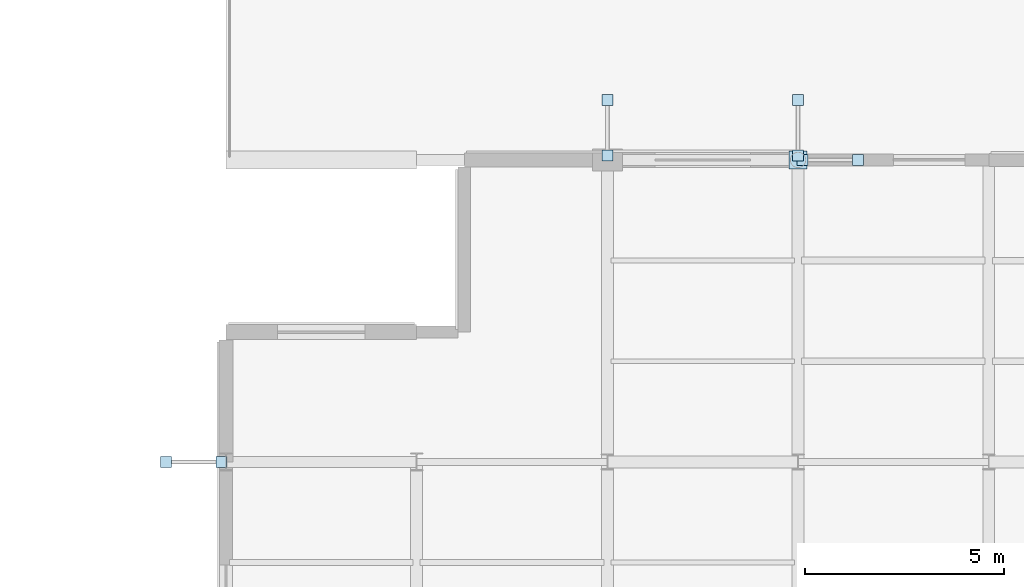
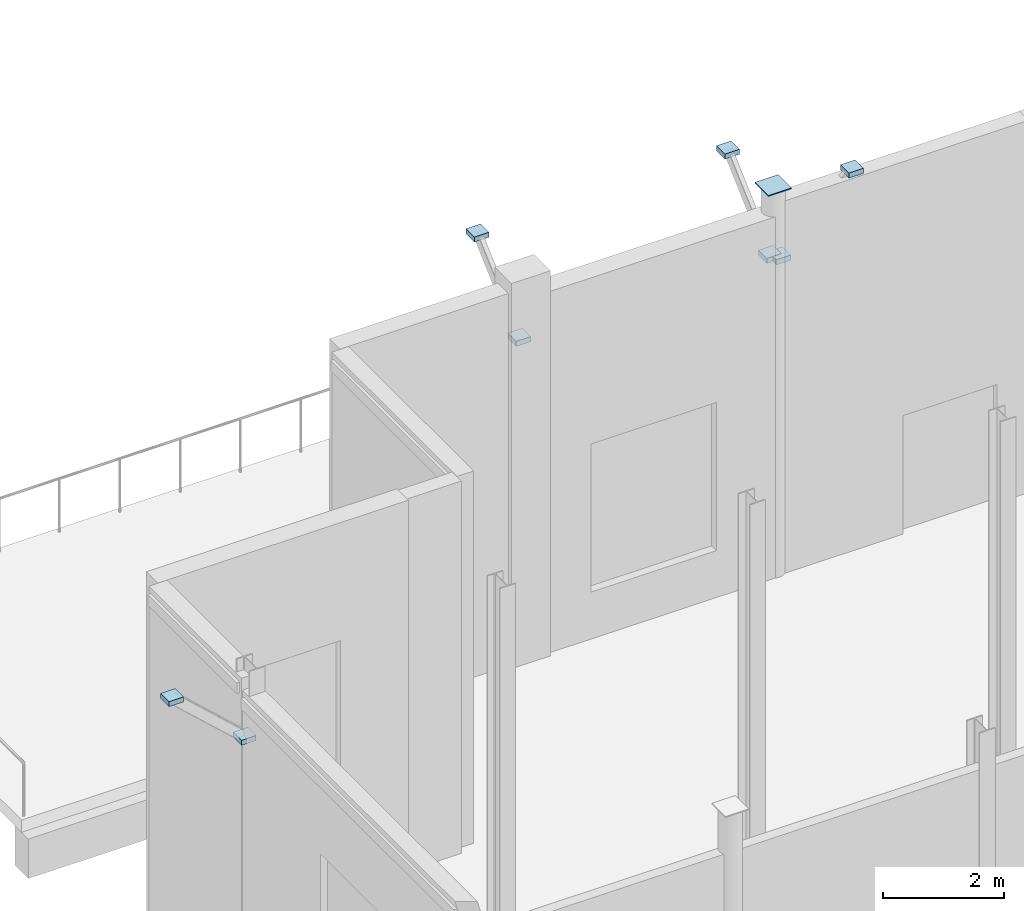
# One storey, part 131 of 176: 9 plates.
"""IFC4 building model written with IfcOpenShell, lengths in metres."""

from ifc_helpers import new_model, si_unit, direction, frame, origin, origin_2d, place, context, subcontext, project, spatial, rectangle, extrude, material, layer, layer_set, type_object, element, save


model = new_model("IFC4")

# Units and contexts
model_context = context("Model", 3, precision=1e-05, world=origin(), true_north=direction((0.0, 1.0)))
body_context = subcontext(model_context, "Body", "Model", "MODEL_VIEW")
ifc_project = project(units=[si_unit("LENGTHUNIT", "METRE"), si_unit("AREAUNIT", "SQUARE_METRE"), si_unit("VOLUMEUNIT", "CUBIC_METRE"), si_unit("PLANEANGLEUNIT", "RADIAN"), si_unit("MASSUNIT", "GRAM", prefix="KILO")], contexts=[model_context])

# Site, building, storey
site_placement = place(None, origin())
site = spatial("IfcSite", under=ifc_project, at=site_placement, CompositionType="ELEMENT")
building_placement = place(site_placement, origin())
building = spatial("IfcBuilding", under=site, at=building_placement, Name="Vekula Escarpment Museum", CompositionType="ELEMENT")
storey_placement = place(building_placement, origin())
storey = spatial("IfcBuildingStorey", under=building, at=storey_placement, Name="L01", CompositionType="ELEMENT", Elevation=0.0)

# Plates
ifc_material_1 = material(Name="Steel S355", Category="steel")
ifc_layer_1 = layer(ifc_material_1, 0.01611328125)
ifc_layer_set_1 = layer_set([ifc_layer_1], Name="Steel S355")
plate_type_1 = type_object("IfcPlateType", Name="PL-CAP-16", PredefinedType="SHEET", material=ifc_layer_set_1)
for number, where, z_axis, x_axis, name in (
    (1, (-0.11474609375, 128.39990234375, 6.294189453125), (0.0, 0.0, 1.0), (1.0, 0.0, 0.0), "Hollow section end cap CP-16"),
    (2, (-1.50537109375, 128.39990234375, 7.563720703125), (0.0, 0.0, 1.0), (1.0, 0.0, 0.0), "Hollow section end cap CP-16"),
    (3, (9.60009765625, 136.11474609375, 6.294189453125), (0.0, 0.0, 1.0), (1.0, 0.0, 0.0), "Hollow section end cap CP-16"),
    (4, (9.60009765625, 137.50537109375, 7.563720703125), (0.0, 0.0, 1.0), (1.0, 0.0, 0.0), "Hollow section end cap CP-16"),
    (5, (14.5146484375, 136.0, 6.294189453125), (0.0, 0.0, 1.0), (1.0, 0.0, 0.0), "Hollow section end cap CP-16"),
    (6, (15.9052734375, 136.0, 7.563720703125), (0.0, 0.0, 1.0), (1.0, 0.0, 0.0), "Hollow section end cap CP-16"),
    (7, (14.39990234375, 136.11474609375, 6.294189453125), (0.0, 0.0, 1.0), (1.0, 0.0, 0.0), "Hollow section end cap CP-16"),
    (8, (14.39990234375, 137.50537109375, 7.563720703125), (0.0, 0.0, 1.0), (1.0, 0.0, 0.0), "Hollow section end cap CP-16"),
):
    element("IfcPlate", number, at=place(storey_placement, frame(where, z_axis=z_axis, x_axis=x_axis)), inside=storey, type_object=plate_type_1, Name=name, PredefinedType="SHEET", context=body_context, shape_type="SweptSolid", body=[
        extrude(rectangle(XDim=0.280029296875, YDim=0.280029296875, at=origin_2d()), origin(), (0.0, 0.0, 1.0), 0.10205078125),
    ])
ifc_material_2 = material(Name="Steel S355", Category="steel")
ifc_layer_2 = layer(ifc_material_2, 0.02001953125)
ifc_layer_set_2 = layer_set([ifc_layer_2], Name="Steel S355")
plate_type_2 = type_object("IfcPlateType", Name="PL-CAP-20", PredefinedType="SHEET", material=ifc_layer_set_2)
plate_placement = place(storey_placement, frame((14.39990234375, 136.0, 7.798095703125), z_axis=(0.0, 0.0, 1.0), x_axis=(1.0, 0.0, 0.0)))
element("IfcPlate", 9, at=plate_placement, inside=storey, type_object=plate_type_2, Name="Hollow section end cap CP-20", PredefinedType="SHEET", context=body_context, shape_type="SweptSolid", body=[
    extrude(rectangle(XDim=0.4462890625, YDim=0.4462890625, at=origin_2d()), origin(), (0.0, 0.0, 1.0), 0.02001953125),
])

save(model, "model.ifc")
